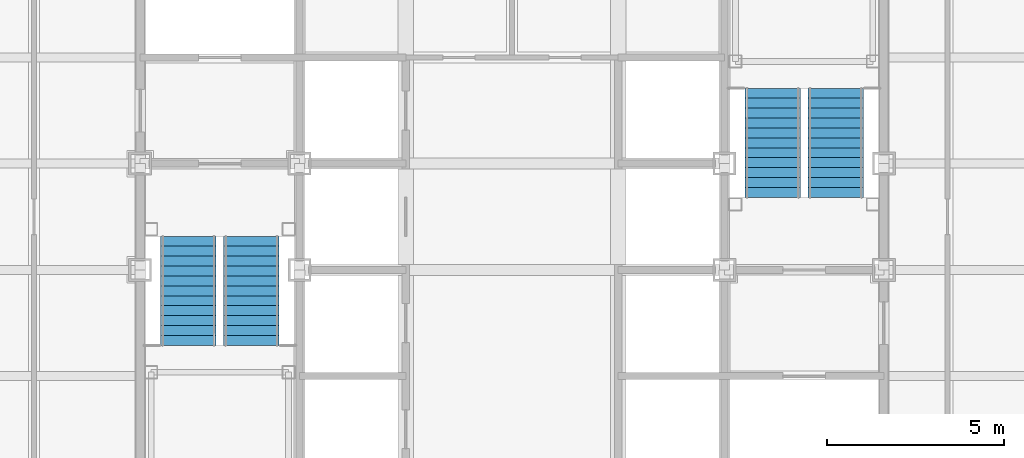
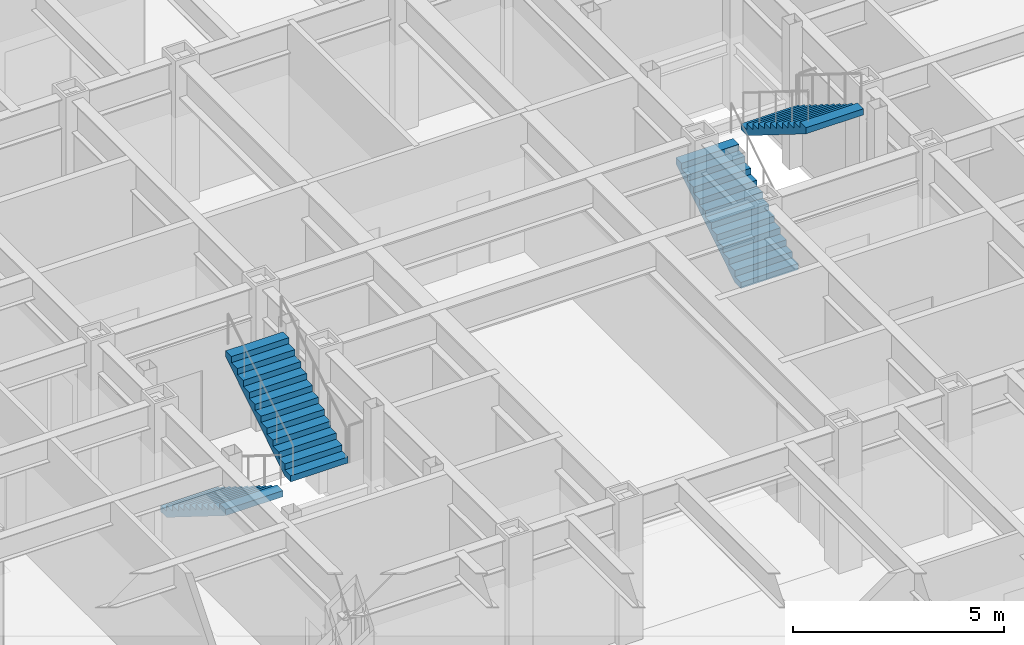
# One storey, part 14 of 16: 4 stair flights, 2 elements without a shape of their own.
"""IFC4 building model written with IfcOpenShell, lengths in metres."""

from ifc_helpers import new_model, si_unit, direction, frame, origin, place, context, subcontext, project, spatial, faceted_brep, material, type_object, element, aggregate, save


model = new_model("IFC4")

# Units and contexts
model_context = context("Model", 3, precision=1e-05, world=origin(), true_north=direction((0.0, 1.0)))
body_context = subcontext(model_context, "Body", "Model", "MODEL_VIEW")
ifc_project = project(units=[si_unit("LENGTHUNIT", "METRE"), si_unit("AREAUNIT", "SQUARE_METRE"), si_unit("VOLUMEUNIT", "CUBIC_METRE"), si_unit("PLANEANGLEUNIT", "RADIAN"), si_unit("MASSUNIT", "GRAM", prefix="KILO")], contexts=[model_context])

# Site, building, storey
site_placement = place(None, origin())
site = spatial("IfcSite", under=ifc_project, at=site_placement, CompositionType="ELEMENT")
building_placement = place(site_placement, origin())
building = spatial("IfcBuilding", under=site, at=building_placement, Name="Chuquiago Exchange Tower", CompositionType="ELEMENT")
storey_placement = place(building_placement, frame((0.0, 0.0, 209.699951171875)))
storey = spatial("IfcBuildingStorey", under=building, at=storey_placement, Name="L46", CompositionType="ELEMENT", Elevation=209.699951171875)

# Stair, stair flights
ifc_material_1 = material(Name="Concrete C30/37, precast", Category="concrete")
stair_type_1 = type_object("IfcStairType", Name="ST1 half-turn stair 4200", PredefinedType="HALF_TURN_STAIR", material=ifc_material_1)
stair_1_placement = place(storey_placement, origin())
stair_1 = element("IfcStair", 1, at=stair_1_placement, inside=storey, type_object=stair_type_1, Name="Stair ST1 L46", PredefinedType="HALF_TURN_STAIR")
ifc_material_2 = material(Name="Concrete C30/37, precast", Category="concrete")
stair_flight_type = type_object("IfcStairFlightType", Name="ST-F flight 1570 for 4200 storey", PredefinedType="STRAIGHT", material=ifc_material_2)
stair_flight_1_placement = place(storey_placement, frame((13.360107421875, 21.949951171875, 0.0), z_axis=(0.0, 0.0, 1.0), x_axis=(0.0, -1.0, 0.0)))
stair_flight_1 = element("IfcStairFlight", 2, at=stair_flight_1_placement, type_object=stair_flight_type, Name="ST1 flight 1", NumberOfRisers=12, NumberOfTreads=11, PredefinedType="STRAIGHT", RiserHeight=0.175, TreadLength=0.28, context=body_context, shape_type="Brep", body=[
    faceted_brep([(0.0, 0.78515625, 0.0), (0.0, 0.78515625, 0.175048828125), (0.280029296875, 0.78515625, 0.175048828125), (0.280029296875, 0.78515625, 0.35009765625), (0.56005859375, 0.78515625, 0.35009765625), (0.56005859375, 0.78515625, 0.52490234375), (0.840087890625, 0.78515625, 0.52490234375), (0.840087890625, 0.78515625, 0.699951171875), (1.1201171875, 0.78515625, 0.699951171875), (1.1201171875, 0.78515625, 0.875), (1.39990234375, 0.78515625, 0.875), (1.39990234375, 0.78515625, 1.050048828125), (1.679931640625, 0.78515625, 1.050048828125), (1.679931640625, 0.78515625, 1.22509765625), (1.9599609375, 0.78515625, 1.22509765625), (1.9599609375, 0.78515625, 1.39990234375), (2.239990234375, 0.78515625, 1.39990234375), (2.239990234375, 0.78515625, 1.574951171875), (2.52001953125, 0.78515625, 1.574951171875), (2.52001953125, 0.78515625, 1.75), (2.800048828125, 0.78515625, 1.75), (2.800048828125, 0.78515625, 1.925048828125), (3.080078125, 0.78515625, 1.925048828125), (3.080078125, 0.78515625, 1.748291015625), (0.28271484375, 0.78515625, 0.0), (0.28271484375, -0.78515625, 0.0), (3.080078125, -0.78515625, 1.748291015625), (3.080078125, -0.78515625, 1.925048828125), (2.800048828125, -0.78515625, 1.925048828125), (2.800048828125, -0.78515625, 1.75), (2.52001953125, -0.78515625, 1.75), (2.52001953125, -0.78515625, 1.574951171875), (2.239990234375, -0.78515625, 1.574951171875), (2.239990234375, -0.78515625, 1.39990234375), (1.9599609375, -0.78515625, 1.39990234375), (1.9599609375, -0.78515625, 1.22509765625), (1.679931640625, -0.78515625, 1.22509765625), (1.679931640625, -0.78515625, 1.050048828125), (1.39990234375, -0.78515625, 1.050048828125), (1.39990234375, -0.78515625, 0.875), (1.1201171875, -0.78515625, 0.875), (1.1201171875, -0.78515625, 0.699951171875), (0.840087890625, -0.78515625, 0.699951171875), (0.840087890625, -0.78515625, 0.52490234375), (0.56005859375, -0.78515625, 0.52490234375), (0.56005859375, -0.78515625, 0.35009765625), (0.280029296875, -0.78515625, 0.35009765625), (0.280029296875, -0.78515625, 0.175048828125), (0.0, -0.78515625, 0.175048828125), (0.0, -0.78515625, 0.0), (0.0, 0.392578125, 0.0), (0.0, 0.392578125, 0.175048828125), (0.0, 0.0, 0.0), (0.0, 0.0, 0.175048828125), (0.0, -0.392578125, 0.0), (0.0, -0.392578125, 0.175048828125), (0.280029296875, 0.392578125, 0.175048828125), (0.280029296875, 0.0, 0.175048828125), (0.280029296875, -0.392578125, 0.175048828125), (0.280029296875, 0.392578125, 0.35009765625), (0.280029296875, 0.0, 0.35009765625), (0.280029296875, -0.392578125, 0.35009765625), (0.56005859375, 0.392578125, 0.35009765625), (0.56005859375, 0.0, 0.35009765625), (0.56005859375, -0.392578125, 0.35009765625), (0.56005859375, 0.392578125, 0.52490234375), (0.56005859375, 0.0, 0.52490234375), (0.56005859375, -0.392578125, 0.52490234375), (0.840087890625, 0.392578125, 0.52490234375), (0.840087890625, 0.0, 0.52490234375), (0.840087890625, -0.392578125, 0.52490234375), (0.840087890625, 0.392578125, 0.699951171875), (0.840087890625, 0.0, 0.699951171875), (0.840087890625, -0.392578125, 0.699951171875), (1.1201171875, 0.392578125, 0.699951171875), (1.1201171875, 0.0, 0.699951171875), (1.1201171875, -0.392578125, 0.699951171875), (1.1201171875, 0.392578125, 0.875), (1.1201171875, 0.0, 0.875), (1.1201171875, -0.392578125, 0.875), (1.39990234375, 0.392578125, 0.875), (1.39990234375, 0.0, 0.875), (1.39990234375, -0.392578125, 0.875), (1.39990234375, 0.392578125, 1.050048828125), (1.39990234375, 0.0, 1.050048828125), (1.39990234375, -0.392578125, 1.050048828125), (1.679931640625, 0.392578125, 1.050048828125), (1.679931640625, 0.0, 1.050048828125), (1.679931640625, -0.392578125, 1.050048828125), (1.679931640625, 0.392578125, 1.22509765625), (1.679931640625, 0.0, 1.22509765625), (1.679931640625, -0.392578125, 1.22509765625), (1.9599609375, 0.392578125, 1.22509765625), (1.9599609375, 0.0, 1.22509765625), (1.9599609375, -0.392578125, 1.22509765625), (1.9599609375, 0.392578125, 1.39990234375), (1.9599609375, 0.0, 1.39990234375), (1.9599609375, -0.392578125, 1.39990234375), (2.239990234375, 0.392578125, 1.39990234375), (2.239990234375, 0.0, 1.39990234375), (2.239990234375, -0.392578125, 1.39990234375), (2.239990234375, 0.392578125, 1.574951171875), (2.239990234375, 0.0, 1.574951171875), (2.239990234375, -0.392578125, 1.574951171875), (2.52001953125, 0.392578125, 1.574951171875), (2.52001953125, 0.0, 1.574951171875), (2.52001953125, -0.392578125, 1.574951171875), (2.52001953125, 0.392578125, 1.75), (2.52001953125, 0.0, 1.75), (2.52001953125, -0.392578125, 1.75), (2.800048828125, 0.392578125, 1.75), (2.800048828125, 0.0, 1.75), (2.800048828125, -0.392578125, 1.75), (2.800048828125, 0.392578125, 1.925048828125), (2.800048828125, 0.0, 1.925048828125), (2.800048828125, -0.392578125, 1.925048828125), (3.080078125, 0.392578125, 1.925048828125), (3.080078125, 0.0, 1.925048828125), (3.080078125, -0.392578125, 1.925048828125), (3.080078125, 0.392578125, 1.748291015625), (3.080078125, 0.0, 1.748291015625), (3.080078125, -0.392578125, 1.748291015625), (0.28271484375, 0.392578125, 0.0), (0.28271484375, 0.0, 0.0), (0.28271484375, -0.392578125, 0.0)], [[[0, 1, 2, 3, 4, 5, 6, 7, 8, 9, 10, 11, 12, 13, 14, 15, 16, 17, 18, 19, 20, 21, 22, 23, 24]], [[25, 26, 27, 28, 29, 30, 31, 32, 33, 34, 35, 36, 37, 38, 39, 40, 41, 42, 43, 44, 45, 46, 47, 48, 49]], [[1, 0, 50, 51]], [[51, 50, 52, 53]], [[53, 52, 54, 55]], [[55, 54, 49, 48]], [[2, 1, 51, 56]], [[56, 51, 53, 57]], [[57, 53, 55, 58]], [[58, 55, 48, 47]], [[3, 2, 56, 59]], [[59, 56, 57, 60]], [[60, 57, 58, 61]], [[61, 58, 47, 46]], [[4, 3, 59, 62]], [[62, 59, 60, 63]], [[63, 60, 61, 64]], [[64, 61, 46, 45]], [[5, 4, 62, 65]], [[65, 62, 63, 66]], [[66, 63, 64, 67]], [[67, 64, 45, 44]], [[6, 5, 65, 68]], [[68, 65, 66, 69]], [[69, 66, 67, 70]], [[70, 67, 44, 43]], [[7, 6, 68, 71]], [[71, 68, 69, 72]], [[72, 69, 70, 73]], [[73, 70, 43, 42]], [[8, 7, 71, 74]], [[74, 71, 72, 75]], [[75, 72, 73, 76]], [[76, 73, 42, 41]], [[9, 8, 74, 77]], [[77, 74, 75, 78]], [[78, 75, 76, 79]], [[79, 76, 41, 40]], [[10, 9, 77, 80]], [[80, 77, 78, 81]], [[81, 78, 79, 82]], [[82, 79, 40, 39]], [[11, 10, 80, 83]], [[83, 80, 81, 84]], [[84, 81, 82, 85]], [[85, 82, 39, 38]], [[12, 11, 83, 86]], [[86, 83, 84, 87]], [[87, 84, 85, 88]], [[88, 85, 38, 37]], [[13, 12, 86, 89]], [[89, 86, 87, 90]], [[90, 87, 88, 91]], [[91, 88, 37, 36]], [[14, 13, 89, 92]], [[92, 89, 90, 93]], [[93, 90, 91, 94]], [[94, 91, 36, 35]], [[15, 14, 92, 95]], [[95, 92, 93, 96]], [[96, 93, 94, 97]], [[97, 94, 35, 34]], [[16, 15, 95, 98]], [[98, 95, 96, 99]], [[99, 96, 97, 100]], [[100, 97, 34, 33]], [[17, 16, 98, 101]], [[101, 98, 99, 102]], [[102, 99, 100, 103]], [[103, 100, 33, 32]], [[18, 17, 101, 104]], [[104, 101, 102, 105]], [[105, 102, 103, 106]], [[106, 103, 32, 31]], [[19, 18, 104, 107]], [[107, 104, 105, 108]], [[108, 105, 106, 109]], [[109, 106, 31, 30]], [[20, 19, 107, 110]], [[110, 107, 108, 111]], [[111, 108, 109, 112]], [[112, 109, 30, 29]], [[21, 20, 110, 113]], [[113, 110, 111, 114]], [[114, 111, 112, 115]], [[115, 112, 29, 28]], [[22, 21, 113, 116]], [[116, 113, 114, 117]], [[117, 114, 115, 118]], [[118, 115, 28, 27]], [[23, 22, 116, 119]], [[119, 116, 117, 120]], [[120, 117, 118, 121]], [[121, 118, 27, 26]], [[24, 23, 119, 122]], [[122, 119, 120, 123]], [[123, 120, 121, 124]], [[124, 121, 26, 25]], [[0, 24, 122, 50]], [[50, 122, 123, 52]], [[52, 123, 124, 54]], [[54, 124, 25, 49]]]),
])
stair_flight_2_placement = place(storey_placement, frame((15.139892578125, 18.8701171875, 2.10009765625), z_axis=(0.0, 0.0, 1.0), x_axis=(0.0, 1.0, 0.0)))
stair_flight_2 = element("IfcStairFlight", 3, at=stair_flight_2_placement, type_object=stair_flight_type, Name="ST1 flight 2", NumberOfRisers=12, NumberOfTreads=11, PredefinedType="STRAIGHT", RiserHeight=0.175, TreadLength=0.28, context=body_context, shape_type="Brep", body=[
    faceted_brep([(0.0, 0.78515625, 0.0), (0.0, 0.78515625, 0.175048828125), (0.280029296875, 0.78515625, 0.175048828125), (0.280029296875, 0.78515625, 0.35009765625), (0.56005859375, 0.78515625, 0.35009765625), (0.56005859375, 0.78515625, 0.52490234375), (0.840087890625, 0.78515625, 0.52490234375), (0.840087890625, 0.78515625, 0.699951171875), (1.1201171875, 0.78515625, 0.699951171875), (1.1201171875, 0.78515625, 0.875), (1.39990234375, 0.78515625, 0.875), (1.39990234375, 0.78515625, 1.050048828125), (1.679931640625, 0.78515625, 1.050048828125), (1.679931640625, 0.78515625, 1.22509765625), (1.9599609375, 0.78515625, 1.22509765625), (1.9599609375, 0.78515625, 1.39990234375), (2.239990234375, 0.78515625, 1.39990234375), (2.239990234375, 0.78515625, 1.574951171875), (2.52001953125, 0.78515625, 1.574951171875), (2.52001953125, 0.78515625, 1.75), (2.800048828125, 0.78515625, 1.75), (2.800048828125, 0.78515625, 1.925048828125), (3.080078125, 0.78515625, 1.925048828125), (3.080078125, 0.78515625, 1.748291015625), (0.28271484375, 0.78515625, 0.0), (0.28271484375, -0.78515625, 0.0), (3.080078125, -0.78515625, 1.748291015625), (3.080078125, -0.78515625, 1.925048828125), (2.800048828125, -0.78515625, 1.925048828125), (2.800048828125, -0.78515625, 1.75), (2.52001953125, -0.78515625, 1.75), (2.52001953125, -0.78515625, 1.574951171875), (2.239990234375, -0.78515625, 1.574951171875), (2.239990234375, -0.78515625, 1.39990234375), (1.9599609375, -0.78515625, 1.39990234375), (1.9599609375, -0.78515625, 1.22509765625), (1.679931640625, -0.78515625, 1.22509765625), (1.679931640625, -0.78515625, 1.050048828125), (1.39990234375, -0.78515625, 1.050048828125), (1.39990234375, -0.78515625, 0.875), (1.1201171875, -0.78515625, 0.875), (1.1201171875, -0.78515625, 0.699951171875), (0.840087890625, -0.78515625, 0.699951171875), (0.840087890625, -0.78515625, 0.52490234375), (0.56005859375, -0.78515625, 0.52490234375), (0.56005859375, -0.78515625, 0.35009765625), (0.280029296875, -0.78515625, 0.35009765625), (0.280029296875, -0.78515625, 0.175048828125), (0.0, -0.78515625, 0.175048828125), (0.0, -0.78515625, 0.0), (0.0, 0.392578125, 0.0), (0.0, 0.392578125, 0.175048828125), (0.0, 0.0, 0.0), (0.0, 0.0, 0.175048828125), (0.0, -0.392578125, 0.0), (0.0, -0.392578125, 0.175048828125), (0.280029296875, 0.392578125, 0.175048828125), (0.280029296875, 0.0, 0.175048828125), (0.280029296875, -0.392578125, 0.175048828125), (0.280029296875, 0.392578125, 0.35009765625), (0.280029296875, 0.0, 0.35009765625), (0.280029296875, -0.392578125, 0.35009765625), (0.56005859375, 0.392578125, 0.35009765625), (0.56005859375, 0.0, 0.35009765625), (0.56005859375, -0.392578125, 0.35009765625), (0.56005859375, 0.392578125, 0.52490234375), (0.56005859375, 0.0, 0.52490234375), (0.56005859375, -0.392578125, 0.52490234375), (0.840087890625, 0.392578125, 0.52490234375), (0.840087890625, 0.0, 0.52490234375), (0.840087890625, -0.392578125, 0.52490234375), (0.840087890625, 0.392578125, 0.699951171875), (0.840087890625, 0.0, 0.699951171875), (0.840087890625, -0.392578125, 0.699951171875), (1.1201171875, 0.392578125, 0.699951171875), (1.1201171875, 0.0, 0.699951171875), (1.1201171875, -0.392578125, 0.699951171875), (1.1201171875, 0.392578125, 0.875), (1.1201171875, 0.0, 0.875), (1.1201171875, -0.392578125, 0.875), (1.39990234375, 0.392578125, 0.875), (1.39990234375, 0.0, 0.875), (1.39990234375, -0.392578125, 0.875), (1.39990234375, 0.392578125, 1.050048828125), (1.39990234375, 0.0, 1.050048828125), (1.39990234375, -0.392578125, 1.050048828125), (1.679931640625, 0.392578125, 1.050048828125), (1.679931640625, 0.0, 1.050048828125), (1.679931640625, -0.392578125, 1.050048828125), (1.679931640625, 0.392578125, 1.22509765625), (1.679931640625, 0.0, 1.22509765625), (1.679931640625, -0.392578125, 1.22509765625), (1.9599609375, 0.392578125, 1.22509765625), (1.9599609375, 0.0, 1.22509765625), (1.9599609375, -0.392578125, 1.22509765625), (1.9599609375, 0.392578125, 1.39990234375), (1.9599609375, 0.0, 1.39990234375), (1.9599609375, -0.392578125, 1.39990234375), (2.239990234375, 0.392578125, 1.39990234375), (2.239990234375, 0.0, 1.39990234375), (2.239990234375, -0.392578125, 1.39990234375), (2.239990234375, 0.392578125, 1.574951171875), (2.239990234375, 0.0, 1.574951171875), (2.239990234375, -0.392578125, 1.574951171875), (2.52001953125, 0.392578125, 1.574951171875), (2.52001953125, 0.0, 1.574951171875), (2.52001953125, -0.392578125, 1.574951171875), (2.52001953125, 0.392578125, 1.75), (2.52001953125, 0.0, 1.75), (2.52001953125, -0.392578125, 1.75), (2.800048828125, 0.392578125, 1.75), (2.800048828125, 0.0, 1.75), (2.800048828125, -0.392578125, 1.75), (2.800048828125, 0.392578125, 1.925048828125), (2.800048828125, 0.0, 1.925048828125), (2.800048828125, -0.392578125, 1.925048828125), (3.080078125, 0.392578125, 1.925048828125), (3.080078125, 0.0, 1.925048828125), (3.080078125, -0.392578125, 1.925048828125), (3.080078125, 0.392578125, 1.748291015625), (3.080078125, 0.0, 1.748291015625), (3.080078125, -0.392578125, 1.748291015625), (0.28271484375, 0.392578125, 0.0), (0.28271484375, 0.0, 0.0), (0.28271484375, -0.392578125, 0.0)], [[[0, 1, 2, 3, 4, 5, 6, 7, 8, 9, 10, 11, 12, 13, 14, 15, 16, 17, 18, 19, 20, 21, 22, 23, 24]], [[25, 26, 27, 28, 29, 30, 31, 32, 33, 34, 35, 36, 37, 38, 39, 40, 41, 42, 43, 44, 45, 46, 47, 48, 49]], [[1, 0, 50, 51]], [[51, 50, 52, 53]], [[53, 52, 54, 55]], [[55, 54, 49, 48]], [[2, 1, 51, 56]], [[56, 51, 53, 57]], [[57, 53, 55, 58]], [[58, 55, 48, 47]], [[3, 2, 56, 59]], [[59, 56, 57, 60]], [[60, 57, 58, 61]], [[61, 58, 47, 46]], [[4, 3, 59, 62]], [[62, 59, 60, 63]], [[63, 60, 61, 64]], [[64, 61, 46, 45]], [[5, 4, 62, 65]], [[65, 62, 63, 66]], [[66, 63, 64, 67]], [[67, 64, 45, 44]], [[6, 5, 65, 68]], [[68, 65, 66, 69]], [[69, 66, 67, 70]], [[70, 67, 44, 43]], [[7, 6, 68, 71]], [[71, 68, 69, 72]], [[72, 69, 70, 73]], [[73, 70, 43, 42]], [[8, 7, 71, 74]], [[74, 71, 72, 75]], [[75, 72, 73, 76]], [[76, 73, 42, 41]], [[9, 8, 74, 77]], [[77, 74, 75, 78]], [[78, 75, 76, 79]], [[79, 76, 41, 40]], [[10, 9, 77, 80]], [[80, 77, 78, 81]], [[81, 78, 79, 82]], [[82, 79, 40, 39]], [[11, 10, 80, 83]], [[83, 80, 81, 84]], [[84, 81, 82, 85]], [[85, 82, 39, 38]], [[12, 11, 83, 86]], [[86, 83, 84, 87]], [[87, 84, 85, 88]], [[88, 85, 38, 37]], [[13, 12, 86, 89]], [[89, 86, 87, 90]], [[90, 87, 88, 91]], [[91, 88, 37, 36]], [[14, 13, 89, 92]], [[92, 89, 90, 93]], [[93, 90, 91, 94]], [[94, 91, 36, 35]], [[15, 14, 92, 95]], [[95, 92, 93, 96]], [[96, 93, 94, 97]], [[97, 94, 35, 34]], [[16, 15, 95, 98]], [[98, 95, 96, 99]], [[99, 96, 97, 100]], [[100, 97, 34, 33]], [[17, 16, 98, 101]], [[101, 98, 99, 102]], [[102, 99, 100, 103]], [[103, 100, 33, 32]], [[18, 17, 101, 104]], [[104, 101, 102, 105]], [[105, 102, 103, 106]], [[106, 103, 32, 31]], [[19, 18, 104, 107]], [[107, 104, 105, 108]], [[108, 105, 106, 109]], [[109, 106, 31, 30]], [[20, 19, 107, 110]], [[110, 107, 108, 111]], [[111, 108, 109, 112]], [[112, 109, 30, 29]], [[21, 20, 110, 113]], [[113, 110, 111, 114]], [[114, 111, 112, 115]], [[115, 112, 29, 28]], [[22, 21, 113, 116]], [[116, 113, 114, 117]], [[117, 114, 115, 118]], [[118, 115, 28, 27]], [[23, 22, 116, 119]], [[119, 116, 117, 120]], [[120, 117, 118, 121]], [[121, 118, 27, 26]], [[24, 23, 119, 122]], [[122, 119, 120, 123]], [[123, 120, 121, 124]], [[124, 121, 26, 25]], [[0, 24, 122, 50]], [[50, 122, 123, 52]], [[52, 123, 124, 54]], [[54, 124, 25, 49]]]),
])
aggregate(stair_1, [stair_flight_1, stair_flight_2])

ifc_material_3 = material(Name="Concrete C30/37, precast", Category="concrete")
stair_type_2 = type_object("IfcStairType", Name="ST2 half-turn stair 4200", PredefinedType="HALF_TURN_STAIR", material=ifc_material_3)
stair_2_placement = place(storey_placement, origin())
stair_2 = element("IfcStair", 4, at=stair_2_placement, inside=storey, type_object=stair_type_2, Name="Stair ST2 L46", PredefinedType="HALF_TURN_STAIR")
stair_flight_3_placement = place(storey_placement, frame((29.860107421875, 23.050048828125, 0.0), z_axis=(0.0, 0.0, 1.0), x_axis=(0.0, 1.0, 0.0)))
stair_flight_3 = element("IfcStairFlight", 5, at=stair_flight_3_placement, type_object=stair_flight_type, Name="ST2 flight 1", NumberOfRisers=12, NumberOfTreads=11, PredefinedType="STRAIGHT", RiserHeight=0.175, TreadLength=0.28, context=body_context, shape_type="Brep", body=[
    faceted_brep([(0.0, 0.78515625, 0.0), (0.0, 0.78515625, 0.175048828125), (0.280029296875, 0.78515625, 0.175048828125), (0.280029296875, 0.78515625, 0.35009765625), (0.56005859375, 0.78515625, 0.35009765625), (0.56005859375, 0.78515625, 0.52490234375), (0.840087890625, 0.78515625, 0.52490234375), (0.840087890625, 0.78515625, 0.699951171875), (1.1201171875, 0.78515625, 0.699951171875), (1.1201171875, 0.78515625, 0.875), (1.39990234375, 0.78515625, 0.875), (1.39990234375, 0.78515625, 1.050048828125), (1.679931640625, 0.78515625, 1.050048828125), (1.679931640625, 0.78515625, 1.22509765625), (1.9599609375, 0.78515625, 1.22509765625), (1.9599609375, 0.78515625, 1.39990234375), (2.239990234375, 0.78515625, 1.39990234375), (2.239990234375, 0.78515625, 1.574951171875), (2.52001953125, 0.78515625, 1.574951171875), (2.52001953125, 0.78515625, 1.75), (2.800048828125, 0.78515625, 1.75), (2.800048828125, 0.78515625, 1.925048828125), (3.080078125, 0.78515625, 1.925048828125), (3.080078125, 0.78515625, 1.748291015625), (0.28271484375, 0.78515625, 0.0), (0.28271484375, -0.78515625, 0.0), (3.080078125, -0.78515625, 1.748291015625), (3.080078125, -0.78515625, 1.925048828125), (2.800048828125, -0.78515625, 1.925048828125), (2.800048828125, -0.78515625, 1.75), (2.52001953125, -0.78515625, 1.75), (2.52001953125, -0.78515625, 1.574951171875), (2.239990234375, -0.78515625, 1.574951171875), (2.239990234375, -0.78515625, 1.39990234375), (1.9599609375, -0.78515625, 1.39990234375), (1.9599609375, -0.78515625, 1.22509765625), (1.679931640625, -0.78515625, 1.22509765625), (1.679931640625, -0.78515625, 1.050048828125), (1.39990234375, -0.78515625, 1.050048828125), (1.39990234375, -0.78515625, 0.875), (1.1201171875, -0.78515625, 0.875), (1.1201171875, -0.78515625, 0.699951171875), (0.840087890625, -0.78515625, 0.699951171875), (0.840087890625, -0.78515625, 0.52490234375), (0.56005859375, -0.78515625, 0.52490234375), (0.56005859375, -0.78515625, 0.35009765625), (0.280029296875, -0.78515625, 0.35009765625), (0.280029296875, -0.78515625, 0.175048828125), (0.0, -0.78515625, 0.175048828125), (0.0, -0.78515625, 0.0), (0.0, 0.392578125, 0.0), (0.0, 0.392578125, 0.175048828125), (0.0, 0.0, 0.0), (0.0, 0.0, 0.175048828125), (0.0, -0.392578125, 0.0), (0.0, -0.392578125, 0.175048828125), (0.280029296875, 0.392578125, 0.175048828125), (0.280029296875, 0.0, 0.175048828125), (0.280029296875, -0.392578125, 0.175048828125), (0.280029296875, 0.392578125, 0.35009765625), (0.280029296875, 0.0, 0.35009765625), (0.280029296875, -0.392578125, 0.35009765625), (0.56005859375, 0.392578125, 0.35009765625), (0.56005859375, 0.0, 0.35009765625), (0.56005859375, -0.392578125, 0.35009765625), (0.56005859375, 0.392578125, 0.52490234375), (0.56005859375, 0.0, 0.52490234375), (0.56005859375, -0.392578125, 0.52490234375), (0.840087890625, 0.392578125, 0.52490234375), (0.840087890625, 0.0, 0.52490234375), (0.840087890625, -0.392578125, 0.52490234375), (0.840087890625, 0.392578125, 0.699951171875), (0.840087890625, 0.0, 0.699951171875), (0.840087890625, -0.392578125, 0.699951171875), (1.1201171875, 0.392578125, 0.699951171875), (1.1201171875, 0.0, 0.699951171875), (1.1201171875, -0.392578125, 0.699951171875), (1.1201171875, 0.392578125, 0.875), (1.1201171875, 0.0, 0.875), (1.1201171875, -0.392578125, 0.875), (1.39990234375, 0.392578125, 0.875), (1.39990234375, 0.0, 0.875), (1.39990234375, -0.392578125, 0.875), (1.39990234375, 0.392578125, 1.050048828125), (1.39990234375, 0.0, 1.050048828125), (1.39990234375, -0.392578125, 1.050048828125), (1.679931640625, 0.392578125, 1.050048828125), (1.679931640625, 0.0, 1.050048828125), (1.679931640625, -0.392578125, 1.050048828125), (1.679931640625, 0.392578125, 1.22509765625), (1.679931640625, 0.0, 1.22509765625), (1.679931640625, -0.392578125, 1.22509765625), (1.9599609375, 0.392578125, 1.22509765625), (1.9599609375, 0.0, 1.22509765625), (1.9599609375, -0.392578125, 1.22509765625), (1.9599609375, 0.392578125, 1.39990234375), (1.9599609375, 0.0, 1.39990234375), (1.9599609375, -0.392578125, 1.39990234375), (2.239990234375, 0.392578125, 1.39990234375), (2.239990234375, 0.0, 1.39990234375), (2.239990234375, -0.392578125, 1.39990234375), (2.239990234375, 0.392578125, 1.574951171875), (2.239990234375, 0.0, 1.574951171875), (2.239990234375, -0.392578125, 1.574951171875), (2.52001953125, 0.392578125, 1.574951171875), (2.52001953125, 0.0, 1.574951171875), (2.52001953125, -0.392578125, 1.574951171875), (2.52001953125, 0.392578125, 1.75), (2.52001953125, 0.0, 1.75), (2.52001953125, -0.392578125, 1.75), (2.800048828125, 0.392578125, 1.75), (2.800048828125, 0.0, 1.75), (2.800048828125, -0.392578125, 1.75), (2.800048828125, 0.392578125, 1.925048828125), (2.800048828125, 0.0, 1.925048828125), (2.800048828125, -0.392578125, 1.925048828125), (3.080078125, 0.392578125, 1.925048828125), (3.080078125, 0.0, 1.925048828125), (3.080078125, -0.392578125, 1.925048828125), (3.080078125, 0.392578125, 1.748291015625), (3.080078125, 0.0, 1.748291015625), (3.080078125, -0.392578125, 1.748291015625), (0.28271484375, 0.392578125, 0.0), (0.28271484375, 0.0, 0.0), (0.28271484375, -0.392578125, 0.0)], [[[0, 1, 2, 3, 4, 5, 6, 7, 8, 9, 10, 11, 12, 13, 14, 15, 16, 17, 18, 19, 20, 21, 22, 23, 24]], [[25, 26, 27, 28, 29, 30, 31, 32, 33, 34, 35, 36, 37, 38, 39, 40, 41, 42, 43, 44, 45, 46, 47, 48, 49]], [[1, 0, 50, 51]], [[51, 50, 52, 53]], [[53, 52, 54, 55]], [[55, 54, 49, 48]], [[2, 1, 51, 56]], [[56, 51, 53, 57]], [[57, 53, 55, 58]], [[58, 55, 48, 47]], [[3, 2, 56, 59]], [[59, 56, 57, 60]], [[60, 57, 58, 61]], [[61, 58, 47, 46]], [[4, 3, 59, 62]], [[62, 59, 60, 63]], [[63, 60, 61, 64]], [[64, 61, 46, 45]], [[5, 4, 62, 65]], [[65, 62, 63, 66]], [[66, 63, 64, 67]], [[67, 64, 45, 44]], [[6, 5, 65, 68]], [[68, 65, 66, 69]], [[69, 66, 67, 70]], [[70, 67, 44, 43]], [[7, 6, 68, 71]], [[71, 68, 69, 72]], [[72, 69, 70, 73]], [[73, 70, 43, 42]], [[8, 7, 71, 74]], [[74, 71, 72, 75]], [[75, 72, 73, 76]], [[76, 73, 42, 41]], [[9, 8, 74, 77]], [[77, 74, 75, 78]], [[78, 75, 76, 79]], [[79, 76, 41, 40]], [[10, 9, 77, 80]], [[80, 77, 78, 81]], [[81, 78, 79, 82]], [[82, 79, 40, 39]], [[11, 10, 80, 83]], [[83, 80, 81, 84]], [[84, 81, 82, 85]], [[85, 82, 39, 38]], [[12, 11, 83, 86]], [[86, 83, 84, 87]], [[87, 84, 85, 88]], [[88, 85, 38, 37]], [[13, 12, 86, 89]], [[89, 86, 87, 90]], [[90, 87, 88, 91]], [[91, 88, 37, 36]], [[14, 13, 89, 92]], [[92, 89, 90, 93]], [[93, 90, 91, 94]], [[94, 91, 36, 35]], [[15, 14, 92, 95]], [[95, 92, 93, 96]], [[96, 93, 94, 97]], [[97, 94, 35, 34]], [[16, 15, 95, 98]], [[98, 95, 96, 99]], [[99, 96, 97, 100]], [[100, 97, 34, 33]], [[17, 16, 98, 101]], [[101, 98, 99, 102]], [[102, 99, 100, 103]], [[103, 100, 33, 32]], [[18, 17, 101, 104]], [[104, 101, 102, 105]], [[105, 102, 103, 106]], [[106, 103, 32, 31]], [[19, 18, 104, 107]], [[107, 104, 105, 108]], [[108, 105, 106, 109]], [[109, 106, 31, 30]], [[20, 19, 107, 110]], [[110, 107, 108, 111]], [[111, 108, 109, 112]], [[112, 109, 30, 29]], [[21, 20, 110, 113]], [[113, 110, 111, 114]], [[114, 111, 112, 115]], [[115, 112, 29, 28]], [[22, 21, 113, 116]], [[116, 113, 114, 117]], [[117, 114, 115, 118]], [[118, 115, 28, 27]], [[23, 22, 116, 119]], [[119, 116, 117, 120]], [[120, 117, 118, 121]], [[121, 118, 27, 26]], [[24, 23, 119, 122]], [[122, 119, 120, 123]], [[123, 120, 121, 124]], [[124, 121, 26, 25]], [[0, 24, 122, 50]], [[50, 122, 123, 52]], [[52, 123, 124, 54]], [[54, 124, 25, 49]]]),
])
stair_flight_4_placement = place(storey_placement, frame((31.639892578125, 26.1298828125, 2.10009765625), z_axis=(0.0, 0.0, 1.0), x_axis=(0.0, -1.0, 0.0)))
stair_flight_4 = element("IfcStairFlight", 6, at=stair_flight_4_placement, type_object=stair_flight_type, Name="ST2 flight 2", NumberOfRisers=12, NumberOfTreads=11, PredefinedType="STRAIGHT", RiserHeight=0.175, TreadLength=0.28, context=body_context, shape_type="Brep", body=[
    faceted_brep([(0.0, 0.78515625, 0.0), (0.0, 0.78515625, 0.175048828125), (0.280029296875, 0.78515625, 0.175048828125), (0.280029296875, 0.78515625, 0.35009765625), (0.56005859375, 0.78515625, 0.35009765625), (0.56005859375, 0.78515625, 0.52490234375), (0.840087890625, 0.78515625, 0.52490234375), (0.840087890625, 0.78515625, 0.699951171875), (1.1201171875, 0.78515625, 0.699951171875), (1.1201171875, 0.78515625, 0.875), (1.39990234375, 0.78515625, 0.875), (1.39990234375, 0.78515625, 1.050048828125), (1.679931640625, 0.78515625, 1.050048828125), (1.679931640625, 0.78515625, 1.22509765625), (1.9599609375, 0.78515625, 1.22509765625), (1.9599609375, 0.78515625, 1.39990234375), (2.239990234375, 0.78515625, 1.39990234375), (2.239990234375, 0.78515625, 1.574951171875), (2.52001953125, 0.78515625, 1.574951171875), (2.52001953125, 0.78515625, 1.75), (2.800048828125, 0.78515625, 1.75), (2.800048828125, 0.78515625, 1.925048828125), (3.080078125, 0.78515625, 1.925048828125), (3.080078125, 0.78515625, 1.748291015625), (0.28271484375, 0.78515625, 0.0), (0.28271484375, -0.78515625, 0.0), (3.080078125, -0.78515625, 1.748291015625), (3.080078125, -0.78515625, 1.925048828125), (2.800048828125, -0.78515625, 1.925048828125), (2.800048828125, -0.78515625, 1.75), (2.52001953125, -0.78515625, 1.75), (2.52001953125, -0.78515625, 1.574951171875), (2.239990234375, -0.78515625, 1.574951171875), (2.239990234375, -0.78515625, 1.39990234375), (1.9599609375, -0.78515625, 1.39990234375), (1.9599609375, -0.78515625, 1.22509765625), (1.679931640625, -0.78515625, 1.22509765625), (1.679931640625, -0.78515625, 1.050048828125), (1.39990234375, -0.78515625, 1.050048828125), (1.39990234375, -0.78515625, 0.875), (1.1201171875, -0.78515625, 0.875), (1.1201171875, -0.78515625, 0.699951171875), (0.840087890625, -0.78515625, 0.699951171875), (0.840087890625, -0.78515625, 0.52490234375), (0.56005859375, -0.78515625, 0.52490234375), (0.56005859375, -0.78515625, 0.35009765625), (0.280029296875, -0.78515625, 0.35009765625), (0.280029296875, -0.78515625, 0.175048828125), (0.0, -0.78515625, 0.175048828125), (0.0, -0.78515625, 0.0), (0.0, 0.392578125, 0.0), (0.0, 0.392578125, 0.175048828125), (0.0, 0.0, 0.0), (0.0, 0.0, 0.175048828125), (0.0, -0.392578125, 0.0), (0.0, -0.392578125, 0.175048828125), (0.280029296875, 0.392578125, 0.175048828125), (0.280029296875, 0.0, 0.175048828125), (0.280029296875, -0.392578125, 0.175048828125), (0.280029296875, 0.392578125, 0.35009765625), (0.280029296875, 0.0, 0.35009765625), (0.280029296875, -0.392578125, 0.35009765625), (0.56005859375, 0.392578125, 0.35009765625), (0.56005859375, 0.0, 0.35009765625), (0.56005859375, -0.392578125, 0.35009765625), (0.56005859375, 0.392578125, 0.52490234375), (0.56005859375, 0.0, 0.52490234375), (0.56005859375, -0.392578125, 0.52490234375), (0.840087890625, 0.392578125, 0.52490234375), (0.840087890625, 0.0, 0.52490234375), (0.840087890625, -0.392578125, 0.52490234375), (0.840087890625, 0.392578125, 0.699951171875), (0.840087890625, 0.0, 0.699951171875), (0.840087890625, -0.392578125, 0.699951171875), (1.1201171875, 0.392578125, 0.699951171875), (1.1201171875, 0.0, 0.699951171875), (1.1201171875, -0.392578125, 0.699951171875), (1.1201171875, 0.392578125, 0.875), (1.1201171875, 0.0, 0.875), (1.1201171875, -0.392578125, 0.875), (1.39990234375, 0.392578125, 0.875), (1.39990234375, 0.0, 0.875), (1.39990234375, -0.392578125, 0.875), (1.39990234375, 0.392578125, 1.050048828125), (1.39990234375, 0.0, 1.050048828125), (1.39990234375, -0.392578125, 1.050048828125), (1.679931640625, 0.392578125, 1.050048828125), (1.679931640625, 0.0, 1.050048828125), (1.679931640625, -0.392578125, 1.050048828125), (1.679931640625, 0.392578125, 1.22509765625), (1.679931640625, 0.0, 1.22509765625), (1.679931640625, -0.392578125, 1.22509765625), (1.9599609375, 0.392578125, 1.22509765625), (1.9599609375, 0.0, 1.22509765625), (1.9599609375, -0.392578125, 1.22509765625), (1.9599609375, 0.392578125, 1.39990234375), (1.9599609375, 0.0, 1.39990234375), (1.9599609375, -0.392578125, 1.39990234375), (2.239990234375, 0.392578125, 1.39990234375), (2.239990234375, 0.0, 1.39990234375), (2.239990234375, -0.392578125, 1.39990234375), (2.239990234375, 0.392578125, 1.574951171875), (2.239990234375, 0.0, 1.574951171875), (2.239990234375, -0.392578125, 1.574951171875), (2.52001953125, 0.392578125, 1.574951171875), (2.52001953125, 0.0, 1.574951171875), (2.52001953125, -0.392578125, 1.574951171875), (2.52001953125, 0.392578125, 1.75), (2.52001953125, 0.0, 1.75), (2.52001953125, -0.392578125, 1.75), (2.800048828125, 0.392578125, 1.75), (2.800048828125, 0.0, 1.75), (2.800048828125, -0.392578125, 1.75), (2.800048828125, 0.392578125, 1.925048828125), (2.800048828125, 0.0, 1.925048828125), (2.800048828125, -0.392578125, 1.925048828125), (3.080078125, 0.392578125, 1.925048828125), (3.080078125, 0.0, 1.925048828125), (3.080078125, -0.392578125, 1.925048828125), (3.080078125, 0.392578125, 1.748291015625), (3.080078125, 0.0, 1.748291015625), (3.080078125, -0.392578125, 1.748291015625), (0.28271484375, 0.392578125, 0.0), (0.28271484375, 0.0, 0.0), (0.28271484375, -0.392578125, 0.0)], [[[0, 1, 2, 3, 4, 5, 6, 7, 8, 9, 10, 11, 12, 13, 14, 15, 16, 17, 18, 19, 20, 21, 22, 23, 24]], [[25, 26, 27, 28, 29, 30, 31, 32, 33, 34, 35, 36, 37, 38, 39, 40, 41, 42, 43, 44, 45, 46, 47, 48, 49]], [[1, 0, 50, 51]], [[51, 50, 52, 53]], [[53, 52, 54, 55]], [[55, 54, 49, 48]], [[2, 1, 51, 56]], [[56, 51, 53, 57]], [[57, 53, 55, 58]], [[58, 55, 48, 47]], [[3, 2, 56, 59]], [[59, 56, 57, 60]], [[60, 57, 58, 61]], [[61, 58, 47, 46]], [[4, 3, 59, 62]], [[62, 59, 60, 63]], [[63, 60, 61, 64]], [[64, 61, 46, 45]], [[5, 4, 62, 65]], [[65, 62, 63, 66]], [[66, 63, 64, 67]], [[67, 64, 45, 44]], [[6, 5, 65, 68]], [[68, 65, 66, 69]], [[69, 66, 67, 70]], [[70, 67, 44, 43]], [[7, 6, 68, 71]], [[71, 68, 69, 72]], [[72, 69, 70, 73]], [[73, 70, 43, 42]], [[8, 7, 71, 74]], [[74, 71, 72, 75]], [[75, 72, 73, 76]], [[76, 73, 42, 41]], [[9, 8, 74, 77]], [[77, 74, 75, 78]], [[78, 75, 76, 79]], [[79, 76, 41, 40]], [[10, 9, 77, 80]], [[80, 77, 78, 81]], [[81, 78, 79, 82]], [[82, 79, 40, 39]], [[11, 10, 80, 83]], [[83, 80, 81, 84]], [[84, 81, 82, 85]], [[85, 82, 39, 38]], [[12, 11, 83, 86]], [[86, 83, 84, 87]], [[87, 84, 85, 88]], [[88, 85, 38, 37]], [[13, 12, 86, 89]], [[89, 86, 87, 90]], [[90, 87, 88, 91]], [[91, 88, 37, 36]], [[14, 13, 89, 92]], [[92, 89, 90, 93]], [[93, 90, 91, 94]], [[94, 91, 36, 35]], [[15, 14, 92, 95]], [[95, 92, 93, 96]], [[96, 93, 94, 97]], [[97, 94, 35, 34]], [[16, 15, 95, 98]], [[98, 95, 96, 99]], [[99, 96, 97, 100]], [[100, 97, 34, 33]], [[17, 16, 98, 101]], [[101, 98, 99, 102]], [[102, 99, 100, 103]], [[103, 100, 33, 32]], [[18, 17, 101, 104]], [[104, 101, 102, 105]], [[105, 102, 103, 106]], [[106, 103, 32, 31]], [[19, 18, 104, 107]], [[107, 104, 105, 108]], [[108, 105, 106, 109]], [[109, 106, 31, 30]], [[20, 19, 107, 110]], [[110, 107, 108, 111]], [[111, 108, 109, 112]], [[112, 109, 30, 29]], [[21, 20, 110, 113]], [[113, 110, 111, 114]], [[114, 111, 112, 115]], [[115, 112, 29, 28]], [[22, 21, 113, 116]], [[116, 113, 114, 117]], [[117, 114, 115, 118]], [[118, 115, 28, 27]], [[23, 22, 116, 119]], [[119, 116, 117, 120]], [[120, 117, 118, 121]], [[121, 118, 27, 26]], [[24, 23, 119, 122]], [[122, 119, 120, 123]], [[123, 120, 121, 124]], [[124, 121, 26, 25]], [[0, 24, 122, 50]], [[50, 122, 123, 52]], [[52, 123, 124, 54]], [[54, 124, 25, 49]]]),
])
aggregate(stair_2, [stair_flight_3, stair_flight_4])

save(model, "model.ifc")
